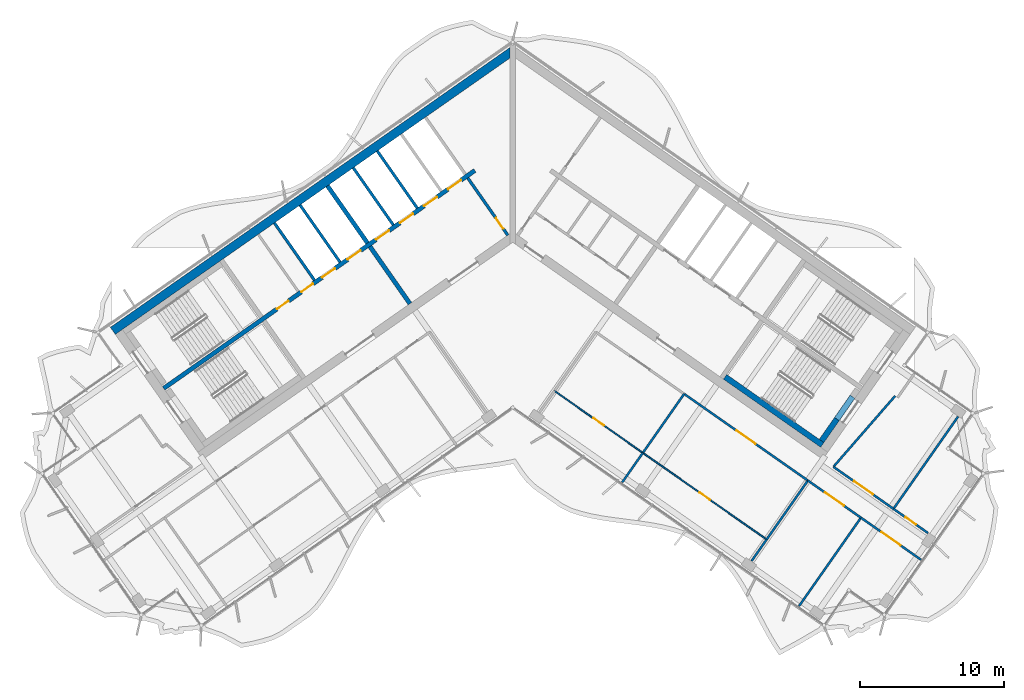
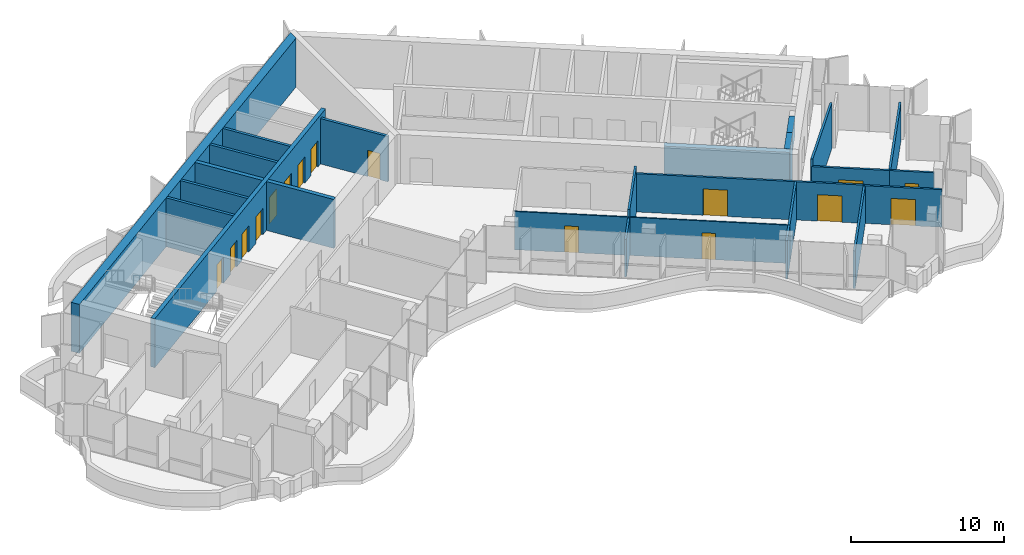
# One storey, part 12 of 20: 26 walls, 16 doors, 16 openings.
"""IFC4 building model written with IfcOpenShell, lengths in metres."""

from ifc_helpers import new_model, si_unit, direction, frame, frame_2d, origin, place, context, subcontext, project, spatial, polyline, rectangle, outline, extrude, material, layer, layer_set, type_object, element, fill, save


model = new_model("IFC4")

# Units and contexts
model_context = context("Model", 3, precision=1e-05, world=origin(), true_north=direction((0.0, 1.0)))
body_context = subcontext(model_context, "Body", "Model", "MODEL_VIEW")
ifc_project = project(units=[si_unit("LENGTHUNIT", "METRE"), si_unit("AREAUNIT", "SQUARE_METRE"), si_unit("VOLUMEUNIT", "CUBIC_METRE"), si_unit("PLANEANGLEUNIT", "RADIAN"), si_unit("MASSUNIT", "GRAM", prefix="KILO")], contexts=[model_context])

# Site, building, storey
site_placement = place(None, origin())
site = spatial("IfcSite", under=ifc_project, at=site_placement, CompositionType="ELEMENT")
building_placement = place(site_placement, origin())
building = spatial("IfcBuilding", under=site, at=building_placement, Name="Tel Ilan Convention Tower", CompositionType="ELEMENT")
storey_placement = place(building_placement, frame((0.0, 0.0, 237.10009765625)))
storey = spatial("IfcBuildingStorey", under=building, at=storey_placement, Name="L55", CompositionType="ELEMENT", Elevation=237.10009765625)

# Wall, opening, door
ifc_material_1 = material(Name="Concrete C30/37", Category="concrete")
ifc_layer_1 = layer(ifc_material_1, 0.199951171875)
ifc_layer_set_1 = layer_set([ifc_layer_1], Name="Core Service Room Wall 200 mm C30/37")
wall_type_1 = type_object("IfcWallType", Name="Core Service Room Wall 200 mm C30/37", PredefinedType="SOLIDWALL", material=ifc_layer_set_1)
wall_1_placement = place(storey_placement, frame((-0.343994140625, -0.729248046875, 0.0), z_axis=(0.0, 0.0, 1.0), x_axis=(-0.573560315113, 0.819163332265, 0.0)))
wall_1 = element("IfcWall", 1, at=wall_1_placement, inside=storey, type_object=wall_type_1, Name="L55 core wall apex-W", PredefinedType="SOLIDWALL", context=body_context, shape_type="SweptSolid", body=[
    extrude(rectangle(XDim=4.849853515625, YDim=0.199951171875, at=frame_2d((2.4248046875, 0.0))), origin(), (0.0, 0.0, 1.0), 3.619873046875),
])
opening_1_placement = place(wall_1_placement, frame((0.550048828125, 0.0, 0.0)))
opening_1 = element("IfcOpeningElement", 2, at=opening_1_placement, cuts=wall_1, Name="Opening CD4202", PredefinedType="OPENING", context=body_context, shape_type="SweptSolid", body=[
    extrude(rectangle(XDim=0.89990234375, YDim=2.10009765625, at=frame_2d((0.449951171875, 1.050048828125))), frame((0.0, 0.10986328125, 0.0), z_axis=(0.0, -1.0, 0.0), x_axis=(1.0, 0.0, 0.0)), (0.0, 0.0, 1.0), 0.219970703125),
])
ifc_material_2 = material(Name="Galvanised Steel Door Leaf", Category="steel")
door_type_1 = type_object("IfcDoorType", Name="Service Room Door 900 x 2100 FD60", OperationType="NOTDEFINED", PredefinedType="DOOR", material=ifc_material_2)
door_1_placement = place(opening_1_placement, origin())
door_1 = element("IfcDoor", 3, at=door_1_placement, inside=storey, type_object=door_type_1, Name="Telecom Room door", OperationType="SINGLE_SWING_RIGHT", OverallHeight=2.10009765625, OverallWidth=0.89990234375, PredefinedType="DOOR", context=body_context, shape_type="SweptSolid", body=[
    extrude(rectangle(XDim=0.89990234375, YDim=2.10009765625, at=frame_2d((0.449951171875, 1.050048828125))), frame((0.0, 0.02490234375, 0.0), z_axis=(0.0, -1.0, 0.0), x_axis=(1.0, 0.0, 0.0)), (0.0, 0.0, 1.0), 0.050048828125),
])
fill(opening_1, door_1)

# Walls
ifc_material_3 = material(Name="Concrete C40/50", Category="concrete")
ifc_layer_2 = layer(ifc_material_3, 0.300048828125)
ifc_layer_set_2 = layer_set([ifc_layer_2], Name="Core Shear Wall 300 mm C40/50")
wall_type_2 = type_object("IfcWallType", Name="Core Shear Wall 300 mm C40/50", PredefinedType="SHEAR", material=ifc_layer_set_2)
wall_2_placement = place(storey_placement, frame((-7.142822265625, -5.48974609375, 0.0), z_axis=(0.0, 0.0, 1.0), x_axis=(-0.573617744349, 0.819123118565, 0.0)))
element("IfcWall", 4, at=wall_2_placement, inside=storey, type_object=wall_type_2, Name="L55 core wall W-cross1-1", PredefinedType="SHEAR", context=body_context, shape_type="SweptSolid", body=[
    extrude(outline(polyline([(4.85009765625, 0.14990234375), (0.0, 0.150146484375), (0.0, -0.14990234375), (4.85009765625, -0.150146484375), (4.85009765625, 0.14990234375)])), origin(), (0.0, 0.0, 1.0), 3.89990234375),
])
wall_3_placement = place(storey_placement, frame((-10.096923828125, -1.271240234375, 0.0), z_axis=(0.0, 0.0, 1.0), x_axis=(-0.573560315113, 0.819163332265, 0.0)))
element("IfcWall", 5, at=wall_3_placement, inside=storey, type_object=wall_type_2, Name="L55 core wall W-cross1-2", PredefinedType="SHEAR", context=body_context, shape_type="SweptSolid", body=[
    extrude(outline(polyline([(4.849853515625, -0.14990234375), (4.849853515625, 0.150146484375), (0.0, 0.14990234375), (0.0, -0.150146484375), (4.849853515625, -0.14990234375)])), origin(), (0.0, 0.0, 1.0), 3.89990234375),
])

# Wall, openings, doors
wall_4_placement = place(storey_placement, frame((-2.638427734375, 3.76806640625, 0.0), z_axis=(0.0, 0.0, 1.0), x_axis=(-0.819155014212, -0.573572194837, 0.0)))
wall_4 = element("IfcWall", 6, at=wall_4_placement, inside=storey, type_object=wall_type_2, Name="L55 core wall W-spine", PredefinedType="SHEAR", context=body_context, shape_type="SweptSolid", body=[
    extrude(outline(polyline([(26.39990234375, 0.150146484375), (0.0, 0.14990234375), (0.0, -0.150146484375), (26.39990234375, -0.14990234375), (26.39990234375, 0.150146484375)])), origin(), (0.0, 0.0, 1.0), 3.89990234375),
])
opening_2_placement = place(wall_4_placement, frame((1.168701171875, 0.0, 0.0)))
opening_2 = element("IfcOpeningElement", 7, at=opening_2_placement, cuts=wall_4, Name="Opening LD4204", PredefinedType="OPENING", context=body_context, shape_type="SweptSolid", body=[
    extrude(rectangle(XDim=1.10009765625, YDim=2.10009765625, at=frame_2d((0.550048828125, 1.050048828125))), frame((0.0, 0.159912109375, 0.0), z_axis=(0.0, -1.0, 0.0), x_axis=(1.0, 0.0, 0.0)), (0.0, 0.0, 1.0), 0.320068359375),
])
opening_3_placement = place(wall_4_placement, frame((3.206298828125, 0.0, 0.0)))
opening_3 = element("IfcOpeningElement", 8, at=opening_3_placement, cuts=wall_4, Name="Opening LD4205", PredefinedType="OPENING", context=body_context, shape_type="SweptSolid", body=[
    extrude(rectangle(XDim=1.10009765625, YDim=2.10009765625, at=frame_2d((0.550048828125, 1.050048828125))), frame((0.0, 0.159912109375, 0.0), z_axis=(0.0, -1.0, 0.0), x_axis=(1.0, 0.0, 0.0)), (0.0, 0.0, 1.0), 0.320068359375),
])
opening_4_placement = place(wall_4_placement, frame((5.24365234375, 0.0, 0.0)))
opening_4 = element("IfcOpeningElement", 9, at=opening_4_placement, cuts=wall_4, Name="Opening LD4206", PredefinedType="OPENING", context=body_context, shape_type="SweptSolid", body=[
    extrude(rectangle(XDim=1.10009765625, YDim=2.10009765625, at=frame_2d((0.550048828125, 1.050048828125))), frame((0.0, 0.159912109375, 0.0), z_axis=(0.0, -1.0, 0.0), x_axis=(1.0, 0.0, 0.0)), (0.0, 0.0, 1.0), 0.320068359375),
])
opening_5_placement = place(wall_4_placement, frame((7.28125, 0.0, 0.0)))
opening_5 = element("IfcOpeningElement", 10, at=opening_5_placement, cuts=wall_4, Name="Opening LD4207", PredefinedType="OPENING", context=body_context, shape_type="SweptSolid", body=[
    extrude(rectangle(XDim=1.10009765625, YDim=2.10009765625, at=frame_2d((0.550048828125, 1.050048828125))), frame((0.0, 0.159912109375, 0.0), z_axis=(0.0, -1.0, 0.0), x_axis=(1.0, 0.0, 0.0)), (0.0, 0.0, 1.0), 0.320068359375),
])
opening_6_placement = place(wall_4_placement, frame((9.6875, 0.0, 0.0)))
opening_6 = element("IfcOpeningElement", 11, at=opening_6_placement, cuts=wall_4, Name="Opening LD4208", PredefinedType="OPENING", context=body_context, shape_type="SweptSolid", body=[
    extrude(rectangle(XDim=1.10009765625, YDim=2.10009765625, at=frame_2d((0.550048828125, 1.050048828125))), frame((0.0, 0.159912109375, 0.0), z_axis=(0.0, -1.0, 0.0), x_axis=(1.0, 0.0, 0.0)), (0.0, 0.0, 1.0), 0.320068359375),
])
opening_7_placement = place(wall_4_placement, frame((11.862548828125, 0.0, 0.0)))
opening_7 = element("IfcOpeningElement", 12, at=opening_7_placement, cuts=wall_4, Name="Opening LD4209", PredefinedType="OPENING", context=body_context, shape_type="SweptSolid", body=[
    extrude(rectangle(XDim=1.10009765625, YDim=2.10009765625, at=frame_2d((0.550048828125, 1.050048828125))), frame((0.0, 0.159912109375, 0.0), z_axis=(0.0, -1.0, 0.0), x_axis=(1.0, 0.0, 0.0)), (0.0, 0.0, 1.0), 0.320068359375),
])
opening_8_placement = place(wall_4_placement, frame((13.722412109375, 0.0, 0.0)))
opening_8 = element("IfcOpeningElement", 13, at=opening_8_placement, cuts=wall_4, Name="Opening CD4209", PredefinedType="OPENING", context=body_context, shape_type="SweptSolid", body=[
    extrude(rectangle(XDim=1.0, YDim=2.10009765625, at=frame_2d((0.5, 1.050048828125))), frame((0.0, 0.159912109375, 0.0), z_axis=(0.0, -1.0, 0.0), x_axis=(1.0, 0.0, 0.0)), (0.0, 0.0, 1.0), 0.320068359375),
])
opening_9_placement = place(wall_4_placement, frame((15.797607421875, 0.0, 0.0)))
opening_9 = element("IfcOpeningElement", 14, at=opening_9_placement, cuts=wall_4, Name="Opening CD4210", PredefinedType="OPENING", context=body_context, shape_type="SweptSolid", body=[
    extrude(rectangle(XDim=1.0, YDim=2.10009765625, at=frame_2d((0.5, 1.050048828125))), frame((0.0, 0.159912109375, 0.0), z_axis=(0.0, -1.0, 0.0), x_axis=(1.0, 0.0, 0.0)), (0.0, 0.0, 1.0), 0.320068359375),
])
ifc_material_4 = material(Name="Stainless Steel Sliding Door Leaf", Category="steel")
door_type_2 = type_object("IfcDoorType", Name="Lift Landing Door 1100 x 2100 FD120", OperationType="NOTDEFINED", PredefinedType="DOOR", material=ifc_material_4)
door_2_placement = place(opening_2_placement, origin())
door_2 = element("IfcDoor", 15, at=door_2_placement, inside=storey, type_object=door_type_2, Name="Lift HR1 landing door", OperationType="SLIDING_TO_LEFT", OverallHeight=2.10009765625, OverallWidth=1.10009765625, PredefinedType="DOOR", context=body_context, shape_type="SweptSolid", body=[
    extrude(rectangle(XDim=1.10009765625, YDim=2.10009765625, at=frame_2d((0.550048828125, 1.050048828125))), frame((0.0, 0.02490234375, 0.0), z_axis=(0.0, -1.0, 0.0), x_axis=(1.0, 0.0, 0.0)), (0.0, 0.0, 1.0), 0.050048828125),
])
fill(opening_2, door_2)
door_3_placement = place(opening_3_placement, origin())
door_3 = element("IfcDoor", 16, at=door_3_placement, inside=storey, type_object=door_type_2, Name="Lift HR2 landing door", OperationType="SLIDING_TO_RIGHT", OverallHeight=2.10009765625, OverallWidth=1.10009765625, PredefinedType="DOOR", context=body_context, shape_type="SweptSolid", body=[
    extrude(rectangle(XDim=1.10009765625, YDim=2.10009765625, at=frame_2d((0.550048828125, 1.050048828125))), frame((0.0, 0.02490234375, 0.0), z_axis=(0.0, -1.0, 0.0), x_axis=(1.0, 0.0, 0.0)), (0.0, 0.0, 1.0), 0.050048828125),
])
fill(opening_3, door_3)
door_4_placement = place(opening_4_placement, origin())
door_4 = element("IfcDoor", 17, at=door_4_placement, inside=storey, type_object=door_type_2, Name="Lift HR3 landing door", OperationType="SLIDING_TO_LEFT", OverallHeight=2.10009765625, OverallWidth=1.10009765625, PredefinedType="DOOR", context=body_context, shape_type="SweptSolid", body=[
    extrude(rectangle(XDim=1.10009765625, YDim=2.10009765625, at=frame_2d((0.550048828125, 1.050048828125))), frame((0.0, 0.02490234375, 0.0), z_axis=(0.0, -1.0, 0.0), x_axis=(1.0, 0.0, 0.0)), (0.0, 0.0, 1.0), 0.050048828125),
])
fill(opening_4, door_4)
door_5_placement = place(opening_5_placement, origin())
door_5 = element("IfcDoor", 18, at=door_5_placement, inside=storey, type_object=door_type_2, Name="Lift HR4 landing door", OperationType="SLIDING_TO_RIGHT", OverallHeight=2.10009765625, OverallWidth=1.10009765625, PredefinedType="DOOR", context=body_context, shape_type="SweptSolid", body=[
    extrude(rectangle(XDim=1.10009765625, YDim=2.10009765625, at=frame_2d((0.550048828125, 1.050048828125))), frame((0.0, 0.02490234375, 0.0), z_axis=(0.0, -1.0, 0.0), x_axis=(1.0, 0.0, 0.0)), (0.0, 0.0, 1.0), 0.050048828125),
])
fill(opening_5, door_5)
door_6_placement = place(opening_6_placement, origin())
door_6 = element("IfcDoor", 19, at=door_6_placement, inside=storey, type_object=door_type_2, Name="Lift HR5 landing door", OperationType="SLIDING_TO_LEFT", OverallHeight=2.10009765625, OverallWidth=1.10009765625, PredefinedType="DOOR", context=body_context, shape_type="SweptSolid", body=[
    extrude(rectangle(XDim=1.10009765625, YDim=2.10009765625, at=frame_2d((0.550048828125, 1.050048828125))), frame((0.0, 0.02490234375, 0.0), z_axis=(0.0, -1.0, 0.0), x_axis=(1.0, 0.0, 0.0)), (0.0, 0.0, 1.0), 0.050048828125),
])
fill(opening_6, door_6)
door_7_placement = place(opening_7_placement, origin())
door_7 = element("IfcDoor", 20, at=door_7_placement, inside=storey, type_object=door_type_2, Name="Lift HR6 landing door", OperationType="SLIDING_TO_RIGHT", OverallHeight=2.10009765625, OverallWidth=1.10009765625, PredefinedType="DOOR", context=body_context, shape_type="SweptSolid", body=[
    extrude(rectangle(XDim=1.10009765625, YDim=2.10009765625, at=frame_2d((0.550048828125, 1.050048828125))), frame((0.0, 0.02490234375, 0.0), z_axis=(0.0, -1.0, 0.0), x_axis=(1.0, 0.0, 0.0)), (0.0, 0.0, 1.0), 0.050048828125),
])
fill(opening_7, door_7)
ifc_material_5 = material(Name="Galvanised Steel Door Leaf", Category="steel")
door_type_3 = type_object("IfcDoorType", Name="Service Room Door 1000 x 2100 FD60", OperationType="NOTDEFINED", PredefinedType="DOOR", material=ifc_material_5)
door_8_placement = place(opening_8_placement, origin())
door_8 = element("IfcDoor", 21, at=door_8_placement, inside=storey, type_object=door_type_3, Name="Plant Room door", OperationType="SINGLE_SWING_RIGHT", OverallHeight=2.10009765625, OverallWidth=1.0, PredefinedType="DOOR", context=body_context, shape_type="SweptSolid", body=[
    extrude(rectangle(XDim=1.0, YDim=2.10009765625, at=frame_2d((0.5, 1.050048828125))), frame((0.0, 0.02490234375, 0.0), z_axis=(0.0, -1.0, 0.0), x_axis=(1.0, 0.0, 0.0)), (0.0, 0.0, 1.0), 0.050048828125),
])
fill(opening_8, door_8)
door_9_placement = place(opening_9_placement, origin())
door_9 = element("IfcDoor", 22, at=door_9_placement, inside=storey, type_object=door_type_3, Name="Plant Room door", OperationType="SINGLE_SWING_RIGHT", OverallHeight=2.10009765625, OverallWidth=1.0, PredefinedType="DOOR", context=body_context, shape_type="SweptSolid", body=[
    extrude(rectangle(XDim=1.0, YDim=2.10009765625, at=frame_2d((0.5, 1.050048828125))), frame((0.0, 0.02490234375, 0.0), z_axis=(0.0, -1.0, 0.0), x_axis=(1.0, 0.0, 0.0)), (0.0, 0.0, 1.0), 0.050048828125),
])
fill(opening_9, door_9)

# Wall
ifc_material_6 = material(Name="Concrete C40/50", Category="concrete")
ifc_layer_3 = layer(ifc_material_6, 0.60009765625)
ifc_layer_set_3 = layer_set([ifc_layer_3], Name="Core Shear Wall 600 mm C40/50")
wall_type_3 = type_object("IfcWallType", Name="Core Shear Wall 600 mm C40/50", PredefinedType="SHEAR", material=ifc_layer_set_3)
wall_5_placement = place(storey_placement, frame((-0.02783203125, 12.066162109375, 0.0), z_axis=(0.0, 0.0, 1.0), x_axis=(-0.819151382952, -0.573577380837, 0.0)))
element("IfcWall", 23, at=wall_5_placement, inside=storey, type_object=wall_type_3, Name="L55 core wall W-back", PredefinedType="SHEAR", context=body_context, shape_type="SweptSolid", body=[
    extrude(outline(polyline([(33.89794921875, 0.300048828125), (0.420166015625, 0.300048828125), (0.0, -0.300048828125), (33.898193359375, -0.300048828125), (33.89794921875, 0.300048828125)])), origin(), (0.0, 0.0, 1.0), 3.89990234375),
])

# Wall, opening, door
ifc_material_7 = material(Name="Plasterboard on Steel Studs", Category="steel")
ifc_layer_4 = layer(ifc_material_7, 0.14990234375)
ifc_layer_set_4 = layer_set([ifc_layer_4], Name="Fire-rated Partition 150 EI 60")
wall_type_4 = type_object("IfcWallType", Name="Fire-rated Partition 150 EI 60", PredefinedType="PARTITIONING", material=ifc_layer_set_4)
wall_6_placement = place(storey_placement, frame((22.283203125, -16.82373046875, 0.0), z_axis=(0.0, 0.0, 1.0), x_axis=(0.819171182807, -0.573549102744, 0.0)))
wall_6 = element("IfcWall", 24, at=wall_6_placement, inside=storey, type_object=wall_type_4, Name="Partition 001", PredefinedType="PARTITIONING", context=body_context, shape_type="SweptSolid", body=[
    extrude(rectangle(XDim=5.09912109375, YDim=0.14990234375, at=frame_2d((2.549560546875, 0.0))), origin(), (0.0, 0.0, 1.0), 3.0498046875),
])
opening_10_placement = place(wall_6_placement, frame((1.74951171875, 0.0, 0.0)))
opening_10 = element("IfcOpeningElement", 25, at=opening_10_placement, cuts=wall_6, Name="Opening L53-015", PredefinedType="OPENING", context=body_context, shape_type="SweptSolid", body=[
    extrude(rectangle(XDim=1.60009765625, YDim=2.10009765625, at=frame_2d((0.800048828125, 1.050048828125))), frame((0.0, 0.0849609375, 0.0), z_axis=(0.0, -1.0, 0.0), x_axis=(1.0, 0.0, 0.0)), (0.0, 0.0, 1.0), 0.169921875),
])
ifc_material_8 = material(Name="Timber Door Leaf in Steel Frame", Category="steel")
door_type_4 = type_object("IfcDoorType", Name="Tenant Suite Entrance Fire Door 1600x2100", OperationType="NOTDEFINED", PredefinedType="DOOR", material=ifc_material_8)
door_10_placement = place(opening_10_placement, origin())
door_10 = element("IfcDoor", 26, at=door_10_placement, inside=storey, type_object=door_type_4, Name="Door L53-015", OperationType="DOUBLE_DOOR_SINGLE_SWING", OverallHeight=2.10009765625, OverallWidth=1.60009765625, PredefinedType="DOOR", context=body_context, shape_type="SweptSolid", body=[
    extrude(rectangle(XDim=1.60009765625, YDim=2.10009765625, at=frame_2d((0.800048828125, 1.050048828125))), frame((0.0, 0.02490234375, 0.0), z_axis=(0.0, -1.0, 0.0), x_axis=(1.0, 0.0, 0.0)), (0.0, 0.0, 1.0), 0.050048828125),
])
fill(opening_10, door_10)

wall_7_placement = place(storey_placement, frame((26.456787109375, -19.74609375, 0.0), z_axis=(0.0, 0.0, 1.0), x_axis=(0.819177150809, -0.573540578855, 0.0)))
wall_7 = element("IfcWall", 27, at=wall_7_placement, inside=storey, type_object=wall_type_4, Name="Partition 002", PredefinedType="PARTITIONING", context=body_context, shape_type="SweptSolid", body=[
    extrude(rectangle(XDim=2.93212890625, YDim=0.14990234375, at=frame_2d((1.466064453125, 0.0))), origin(), (0.0, 0.0, 1.0), 3.0498046875),
])
opening_11_placement = place(wall_7_placement, frame((1.01611328125, 0.0, 0.0)))
opening_11 = element("IfcOpeningElement", 28, at=opening_11_placement, cuts=wall_7, Name="Opening L53-016", PredefinedType="OPENING", context=body_context, shape_type="SweptSolid", body=[
    extrude(rectangle(XDim=0.89990234375, YDim=2.10009765625, at=frame_2d((0.449951171875, 1.050048828125))), frame((0.0, 0.0849609375, 0.0), z_axis=(0.0, -1.0, 0.0), x_axis=(1.0, 0.0, 0.0)), (0.0, 0.0, 1.0), 0.169921875),
])
ifc_material_9 = material(Name="Timber Door Leaf in Steel Frame", Category="steel")
door_type_5 = type_object("IfcDoorType", Name="Room Fire Door 900x2100", OperationType="NOTDEFINED", PredefinedType="DOOR", material=ifc_material_9)
door_11_placement = place(opening_11_placement, origin())
door_11 = element("IfcDoor", 29, at=door_11_placement, inside=storey, type_object=door_type_5, Name="Door L53-016", OperationType="SINGLE_SWING_LEFT", OverallHeight=2.10009765625, OverallWidth=0.89990234375, PredefinedType="DOOR", context=body_context, shape_type="SweptSolid", body=[
    extrude(rectangle(XDim=0.89990234375, YDim=2.10009765625, at=frame_2d((0.449951171875, 1.050048828125))), frame((0.0, 0.02490234375, 0.0), z_axis=(0.0, -1.0, 0.0), x_axis=(1.0, 0.0, 0.0)), (0.0, 0.0, 1.0), 0.050048828125),
])
fill(opening_11, door_11)

wall_8_placement = place(storey_placement, frame((20.5126953125, -17.78125, 0.0), z_axis=(0.0, 0.0, 1.0), x_axis=(-0.819156568366, 0.573569975245, 0.0)))
wall_8 = element("IfcWall", 30, at=wall_8_placement, inside=storey, type_object=wall_type_4, Name="Partition 004", PredefinedType="PARTITIONING", context=body_context, shape_type="SweptSolid", body=[
    extrude(rectangle(XDim=10.50390625, YDim=0.14990234375, at=frame_2d((5.251953125, 0.0))), origin(), (0.0, 0.0, 1.0), 3.0498046875),
])
opening_12_placement = place(wall_8_placement, frame((4.451904296875, 0.0, 0.0)))
opening_12 = element("IfcOpeningElement", 31, at=opening_12_placement, cuts=wall_8, Name="Opening L53-011", PredefinedType="OPENING", context=body_context, shape_type="SweptSolid", body=[
    extrude(rectangle(XDim=1.60009765625, YDim=2.10009765625, at=frame_2d((0.800048828125, 1.050048828125))), frame((0.0, 0.0849609375, 0.0), z_axis=(0.0, -1.0, 0.0), x_axis=(1.0, 0.0, 0.0)), (0.0, 0.0, 1.0), 0.169921875),
])
door_12_placement = place(opening_12_placement, origin())
door_12 = element("IfcDoor", 32, at=door_12_placement, inside=storey, type_object=door_type_4, Name="Door L53-011", OperationType="DOUBLE_DOOR_SINGLE_SWING", OverallHeight=2.10009765625, OverallWidth=1.60009765625, PredefinedType="DOOR", context=body_context, shape_type="SweptSolid", body=[
    extrude(rectangle(XDim=1.60009765625, YDim=2.10009765625, at=frame_2d((0.800048828125, 1.050048828125))), frame((0.0, 0.02490234375, 0.0), z_axis=(0.0, -1.0, 0.0), x_axis=(1.0, 0.0, 0.0)), (0.0, 0.0, 1.0), 0.050048828125),
])
fill(opening_12, door_12)

wall_9_placement = place(storey_placement, frame((24.198974609375, -20.3623046875, 0.0), z_axis=(0.0, 0.0, 1.0), x_axis=(-0.819165703328, 0.573556928727, 0.0)))
wall_9 = element("IfcWall", 33, at=wall_9_placement, inside=storey, type_object=wall_type_4, Name="Partition 005", PredefinedType="PARTITIONING", context=body_context, shape_type="SweptSolid", body=[
    extrude(rectangle(XDim=4.50390625, YDim=0.14990234375, at=frame_2d((2.251953125, 0.0))), origin(), (0.0, 0.0, 1.0), 3.0498046875),
])
opening_13_placement = place(wall_9_placement, frame((1.451904296875, 0.0, 0.0)))
opening_13 = element("IfcOpeningElement", 34, at=opening_13_placement, cuts=wall_9, Name="Opening L53-013", PredefinedType="OPENING", context=body_context, shape_type="SweptSolid", body=[
    extrude(rectangle(XDim=1.60009765625, YDim=2.10009765625, at=frame_2d((0.800048828125, 1.050048828125))), frame((0.0, 0.0849609375, 0.0), z_axis=(0.0, -1.0, 0.0), x_axis=(1.0, 0.0, 0.0)), (0.0, 0.0, 1.0), 0.169921875),
])
door_13_placement = place(opening_13_placement, origin())
door_13 = element("IfcDoor", 35, at=door_13_placement, inside=storey, type_object=door_type_4, Name="Door L53-013", OperationType="DOUBLE_DOOR_SINGLE_SWING", OverallHeight=2.10009765625, OverallWidth=1.60009765625, PredefinedType="DOOR", context=body_context, shape_type="SweptSolid", body=[
    extrude(rectangle(XDim=1.60009765625, YDim=2.10009765625, at=frame_2d((0.800048828125, 1.050048828125))), frame((0.0, 0.02490234375, 0.0), z_axis=(0.0, -1.0, 0.0), x_axis=(1.0, 0.0, 0.0)), (0.0, 0.0, 1.0), 0.050048828125),
])
fill(opening_13, door_13)

wall_10_placement = place(storey_placement, frame((28.375, -23.28662109375, 0.0), z_axis=(0.0, 0.0, 1.0), x_axis=(-0.819132992492, 0.573603644176, 0.0)))
wall_10 = element("IfcWall", 36, at=wall_10_placement, inside=storey, type_object=wall_type_4, Name="Partition 006", PredefinedType="PARTITIONING", context=body_context, shape_type="SweptSolid", body=[
    extrude(rectangle(XDim=5.10205078125, YDim=0.14990234375, at=frame_2d((2.551025390625, 0.0))), origin(), (0.0, 0.0, 1.0), 3.0),
])
opening_14_placement = place(wall_10_placement, frame((1.7509765625, 0.0, 0.0)))
opening_14 = element("IfcOpeningElement", 37, at=opening_14_placement, cuts=wall_10, Name="Opening L53-014", PredefinedType="OPENING", context=body_context, shape_type="SweptSolid", body=[
    extrude(rectangle(XDim=1.60009765625, YDim=2.10009765625, at=frame_2d((0.800048828125, 1.050048828125))), frame((0.0, 0.0849609375, 0.0), z_axis=(0.0, -1.0, 0.0), x_axis=(1.0, 0.0, 0.0)), (0.0, 0.0, 1.0), 0.169921875),
])
door_14_placement = place(opening_14_placement, origin())
door_14 = element("IfcDoor", 38, at=door_14_placement, inside=storey, type_object=door_type_4, Name="Door L53-014", OperationType="DOUBLE_DOOR_SINGLE_SWING", OverallHeight=2.10009765625, OverallWidth=1.60009765625, PredefinedType="DOOR", context=body_context, shape_type="SweptSolid", body=[
    extrude(rectangle(XDim=1.60009765625, YDim=2.10009765625, at=frame_2d((0.800048828125, 1.050048828125))), frame((0.0, 0.02490234375, 0.0), z_axis=(0.0, -1.0, 0.0), x_axis=(1.0, 0.0, 0.0)), (0.0, 0.0, 1.0), 0.050048828125),
])
fill(opening_14, door_14)

# Walls
wall_11_placement = place(storey_placement, frame((30.949462890625, -13.333251953125, 0.0), z_axis=(0.0, 0.0, 1.0), x_axis=(-0.573558601227, -0.819164532288, 0.0)))
element("IfcWall", 39, at=wall_11_placement, inside=storey, type_object=wall_type_4, Name="Partition 013", PredefinedType="PARTITIONING", context=body_context, shape_type="SweptSolid", body=[
    extrude(rectangle(XDim=7.830078125, YDim=0.14990234375, at=frame_2d((3.9150390625, 0.0))), origin(), (0.0, 0.0, 1.0), 3.0),
])
wall_12_placement = place(storey_placement, frame((22.284912109375, -16.82470703125, 0.0), z_axis=(0.0, 0.0, 1.0), x_axis=(0.656781429942, 0.754080999153, 0.0)))
element("IfcWall", 40, at=wall_12_placement, inside=storey, type_object=wall_type_4, Name="Partition 014", PredefinedType="PARTITIONING", context=body_context, shape_type="SweptSolid", body=[
    extrude(rectangle(XDim=6.536376953125, YDim=0.14990234375, at=frame_2d((3.26806640625, 0.0))), origin(), (0.0, 0.0, 1.0), 3.619873046875),
])
wall_13_placement = place(storey_placement, frame((9.04150390625, -15.854248046875, 0.0), z_axis=(0.0, 0.0, 1.0), x_axis=(-0.573560689761, -0.819163069945, 0.0)))
element("IfcWall", 41, at=wall_13_placement, inside=storey, type_object=wall_type_4, Name="Partition 017", PredefinedType="PARTITIONING", context=body_context, shape_type="SweptSolid", body=[
    extrude(rectangle(XDim=2.4990234375, YDim=0.14990234375, at=frame_2d((1.24951171875, 0.0))), origin(), (0.0, 0.0, 1.0), 3.0),
])
wall_14_placement = place(storey_placement, frame((11.909912109375, -11.757568359375, 0.0), z_axis=(0.0, 0.0, 1.0), x_axis=(-0.573563925118, -0.819160804606, 0.0)))
element("IfcWall", 42, at=wall_14_placement, inside=storey, type_object=wall_type_4, Name="Partition 019", PredefinedType="PARTITIONING", context=body_context, shape_type="SweptSolid", body=[
    extrude(rectangle(XDim=5.000244140625, YDim=0.14990234375, at=frame_2d((2.5, 0.0))), origin(), (0.0, 0.0, 1.0), 3.619873046875),
])
wall_15_placement = place(storey_placement, frame((17.642578125, -21.876708984375, 0.0), z_axis=(0.0, 0.0, 1.0), x_axis=(-0.573560882037, -0.819162935317, 0.0)))
element("IfcWall", 43, at=wall_15_placement, inside=storey, type_object=wall_type_4, Name="Partition 022", PredefinedType="PARTITIONING", context=body_context, shape_type="SweptSolid", body=[
    extrude(rectangle(XDim=1.8291015625, YDim=0.14990234375, at=frame_2d((0.91455078125, 0.0))), origin(), (0.0, 0.0, 1.0), 3.0498046875),
])
wall_16_placement = place(storey_placement, frame((20.510986328125, -17.7802734375, 0.0), z_axis=(0.0, 0.0, 1.0), x_axis=(-0.573554101347, -0.819167682973, 0.0)))
element("IfcWall", 44, at=wall_16_placement, inside=storey, type_object=wall_type_4, Name="Partition 023", PredefinedType="PARTITIONING", context=body_context, shape_type="SweptSolid", body=[
    extrude(rectangle(XDim=4.999755859375, YDim=0.14990234375, at=frame_2d((2.5, 0.0))), origin(), (0.0, 0.0, 1.0), 3.0498046875),
])
wall_17_placement = place(storey_placement, frame((24.197265625, -20.361328125, 0.0), z_axis=(0.0, 0.0, 1.0), x_axis=(-0.573575945067, -0.81915238829, 0.0)))
element("IfcWall", 45, at=wall_17_placement, inside=storey, type_object=wall_type_4, Name="Partition 024", PredefinedType="PARTITIONING", context=body_context, shape_type="SweptSolid", body=[
    extrude(rectangle(XDim=7.5, YDim=0.14990234375, at=frame_2d((3.75, 0.0))), origin(), (0.0, 0.0, 1.0), 3.0),
])
ifc_material_10 = material(Name="Concrete C30/37", Category="concrete")
ifc_layer_5 = layer(ifc_material_10, 0.199951171875)
ifc_layer_set_5 = layer_set([ifc_layer_5], Name="Lift Shaft Wall 200 mm C30/37")
wall_type_5 = type_object("IfcWallType", Name="Lift Shaft Wall 200 mm C30/37", PredefinedType="SOLIDWALL", material=ifc_layer_set_5)
wall_18_placement = place(storey_placement, frame((-6.635986328125, 1.152099609375, 0.0), z_axis=(0.0, 0.0, 1.0), x_axis=(-0.573560315113, 0.819163332265, 0.0)))
element("IfcWall", 46, at=wall_18_placement, inside=storey, type_object=wall_type_5, Name="L55 core wall bank-W1-p1", PredefinedType="SOLIDWALL", context=body_context, shape_type="SweptSolid", body=[
    extrude(rectangle(XDim=4.849853515625, YDim=0.199951171875, at=frame_2d((2.4248046875, 0.0))), origin(), (0.0, 0.0, 1.0), 3.89990234375),
])
wall_19_placement = place(storey_placement, frame((-8.304931640625, -0.0166015625, 0.0), z_axis=(0.0, 0.0, 1.0), x_axis=(-0.573594092424, 0.81913968109, 0.0)))
element("IfcWall", 47, at=wall_19_placement, inside=storey, type_object=wall_type_5, Name="L55 core wall bank-W1-p2", PredefinedType="SOLIDWALL", context=body_context, shape_type="SweptSolid", body=[
    extrude(rectangle(XDim=4.85009765625, YDim=0.199951171875, at=frame_2d((2.425048828125, 0.0))), origin(), (0.0, 0.0, 1.0), 3.89990234375),
])
wall_20_placement = place(storey_placement, frame((-12.00146484375, -2.604736328125, 0.0), z_axis=(0.0, 0.0, 1.0), x_axis=(-0.573560315113, 0.819163332265, 0.0)))
element("IfcWall", 48, at=wall_20_placement, inside=storey, type_object=wall_type_5, Name="L55 core wall bank-W2-p0", PredefinedType="SOLIDWALL", context=body_context, shape_type="SweptSolid", body=[
    extrude(rectangle(XDim=4.849853515625, YDim=0.199951171875, at=frame_2d((2.4248046875, 0.0))), origin(), (0.0, 0.0, 1.0), 3.89990234375),
])
wall_21_placement = place(storey_placement, frame((-13.782958984375, -3.852294921875, 0.0), z_axis=(0.0, 0.0, 1.0), x_axis=(-0.573594092424, 0.81913968109, 0.0)))
element("IfcWall", 49, at=wall_21_placement, inside=storey, type_object=wall_type_5, Name="L55 core wall bank-W2-p1", PredefinedType="SOLIDWALL", context=body_context, shape_type="SweptSolid", body=[
    extrude(rectangle(XDim=4.85009765625, YDim=0.199951171875, at=frame_2d((2.425048828125, 0.0))), origin(), (0.0, 0.0, 1.0), 3.89990234375),
])

# Wall, opening, door
ifc_material_11 = material(Name="Plasterboard on Steel Studs", Category="steel")
ifc_layer_6 = layer(ifc_material_11, 0.10009765625)
ifc_layer_set_6 = layer_set([ifc_layer_6], Name="Plasterboard Partition 100")
wall_type_6 = type_object("IfcWallType", Name="Plasterboard Partition 100", PredefinedType="PARTITIONING", material=ifc_layer_set_6)
wall_22_placement = place(storey_placement, frame((9.04150390625, -15.854248046875, 0.0), z_axis=(0.0, 0.0, 1.0), x_axis=(-0.81915238829, 0.573575945067, 0.0)))
wall_22 = element("IfcWall", 50, at=wall_22_placement, inside=storey, type_object=wall_type_6, Name="Partition 016", PredefinedType="PARTITIONING", context=body_context, shape_type="SweptSolid", body=[
    extrude(rectangle(XDim=7.5, YDim=0.10009765625, at=frame_2d((3.75, 0.0))), origin(), (0.0, 0.0, 1.0), 3.0498046875),
])
opening_15_placement = place(wall_22_placement, frame((3.300048828125, 0.0, 0.0)))
opening_15 = element("IfcOpeningElement", 51, at=opening_15_placement, cuts=wall_22, Name="Opening L53-010", PredefinedType="OPENING", context=body_context, shape_type="SweptSolid", body=[
    extrude(rectangle(XDim=0.89990234375, YDim=2.10009765625, at=frame_2d((0.449951171875, 1.050048828125))), frame((0.0, 0.06005859375, 0.0), z_axis=(0.0, -1.0, 0.0), x_axis=(1.0, 0.0, 0.0)), (0.0, 0.0, 1.0), 0.1201171875),
])
ifc_material_12 = material(Name="Timber Door Leaf in Steel Frame", Category="steel")
door_type_6 = type_object("IfcDoorType", Name="Room Timber Door 900x2100", OperationType="NOTDEFINED", PredefinedType="DOOR", material=ifc_material_12)
door_15_placement = place(opening_15_placement, origin())
door_15 = element("IfcDoor", 52, at=door_15_placement, inside=storey, type_object=door_type_6, Name="Door L53-010", OperationType="SINGLE_SWING_RIGHT", OverallHeight=2.10009765625, OverallWidth=0.89990234375, PredefinedType="DOOR", context=body_context, shape_type="SweptSolid", body=[
    extrude(rectangle(XDim=0.89990234375, YDim=2.10009765625, at=frame_2d((0.449951171875, 1.050048828125))), frame((0.0, 0.02490234375, 0.0), z_axis=(0.0, -1.0, 0.0), x_axis=(1.0, 0.0, 0.0)), (0.0, 0.0, 1.0), 0.050048828125),
])
fill(opening_15, door_15)

wall_23_placement = place(storey_placement, frame((17.642578125, -21.876708984375, 0.0), z_axis=(0.0, 0.0, 1.0), x_axis=(-0.819155448096, 0.573571575181, 0.0)))
wall_23 = element("IfcWall", 53, at=wall_23_placement, inside=storey, type_object=wall_type_6, Name="Partition 021", PredefinedType="PARTITIONING", context=body_context, shape_type="SweptSolid", body=[
    extrude(rectangle(XDim=10.5, YDim=0.10009765625, at=frame_2d((5.25, 0.0))), origin(), (0.0, 0.0, 1.0), 3.0498046875),
])
opening_16_placement = place(wall_23_placement, frame((4.800048828125, 0.0, 0.0)))
opening_16 = element("IfcOpeningElement", 54, at=opening_16_placement, cuts=wall_23, Name="Opening L53-012", PredefinedType="OPENING", context=body_context, shape_type="SweptSolid", body=[
    extrude(rectangle(XDim=0.89990234375, YDim=2.10009765625, at=frame_2d((0.449951171875, 1.050048828125))), frame((0.0, 0.06005859375, 0.0), z_axis=(0.0, -1.0, 0.0), x_axis=(1.0, 0.0, 0.0)), (0.0, 0.0, 1.0), 0.1201171875),
])
door_16_placement = place(opening_16_placement, origin())
door_16 = element("IfcDoor", 55, at=door_16_placement, inside=storey, type_object=door_type_6, Name="Door L53-012", OperationType="SINGLE_SWING_LEFT", OverallHeight=2.10009765625, OverallWidth=0.89990234375, PredefinedType="DOOR", context=body_context, shape_type="SweptSolid", body=[
    extrude(rectangle(XDim=0.89990234375, YDim=2.10009765625, at=frame_2d((0.449951171875, 1.050048828125))), frame((0.0, 0.02490234375, 0.0), z_axis=(0.0, -1.0, 0.0), x_axis=(1.0, 0.0, 0.0)), (0.0, 0.0, 1.0), 0.050048828125),
])
fill(opening_16, door_16)

# Walls
ifc_material_13 = material(Name="Concrete C30/37", Category="concrete")
ifc_layer_7 = layer(ifc_material_13, 0.39990234375)
ifc_layer_set_7 = layer_set([ifc_layer_7], Name="Stair and Shaft Lining Wall 400 mm C30/37")
wall_type_7 = type_object("IfcWallType", Name="Stair and Shaft Lining Wall 400 mm C30/37", PredefinedType="SOLIDWALL", material=ifc_layer_set_7)
wall_24_placement = place(storey_placement, frame((14.7529296875, -10.57421875, 0.0), z_axis=(0.0, 0.0, 1.0), x_axis=(0.819158229677, -0.573567602601, 0.0)))
element("IfcWall", 56, at=wall_24_placement, inside=storey, type_object=wall_type_7, Name="L55 core wall lining-S4-t0", PredefinedType="SOLIDWALL", context=body_context, shape_type="SweptSolid", body=[
    extrude(rectangle(XDim=8.25, YDim=0.39990234375, at=frame_2d((4.125, 0.0))), origin(), (0.0, 0.0, 1.0), 3.619873046875),
])
wall_25_placement = place(storey_placement, frame((21.4619140625, -15.027587890625, 0.0), z_axis=(0.0, 0.0, 1.0), x_axis=(0.573559770908, 0.819163713305, 0.0)))
element("IfcWall", 57, at=wall_25_placement, inside=storey, type_object=wall_type_7, Name="L55 core wall lining-S4-u1-0", PredefinedType="SOLIDWALL", context=body_context, shape_type="SweptSolid", body=[
    extrude(rectangle(XDim=1.849853515625, YDim=0.39990234375, at=frame_2d((0.9248046875, 0.0))), origin(), (0.0, 0.0, 1.0), 3.619873046875),
])
wall_26_placement = place(storey_placement, frame((22.52294921875, -13.51220703125, 2.14990234375), z_axis=(0.0, 0.0, 1.0), x_axis=(0.573591692345, 0.819141361715, 0.0)))
element("IfcWall", 58, at=wall_26_placement, inside=storey, type_object=wall_type_7, Name="L55 core wall lining-S4-u1-lintel", PredefinedType="SOLIDWALL", context=body_context, shape_type="SweptSolid", body=[
    extrude(rectangle(XDim=1.900146484375, YDim=0.39990234375, at=frame_2d((0.9501953125, 0.0))), origin(), (0.0, 0.0, 1.0), 1.469970703125),
])

save(model, "model.ifc")
